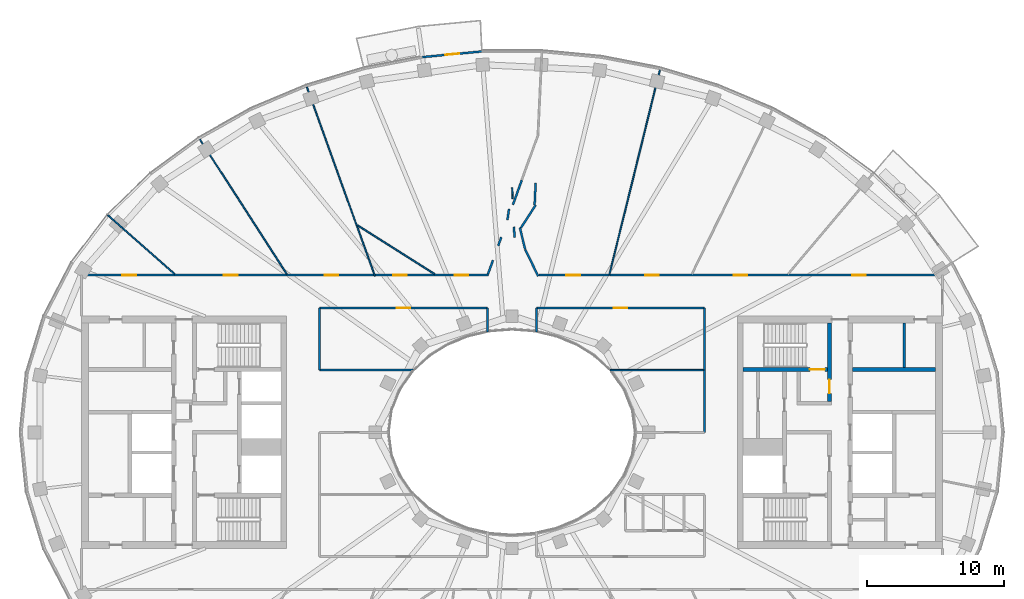
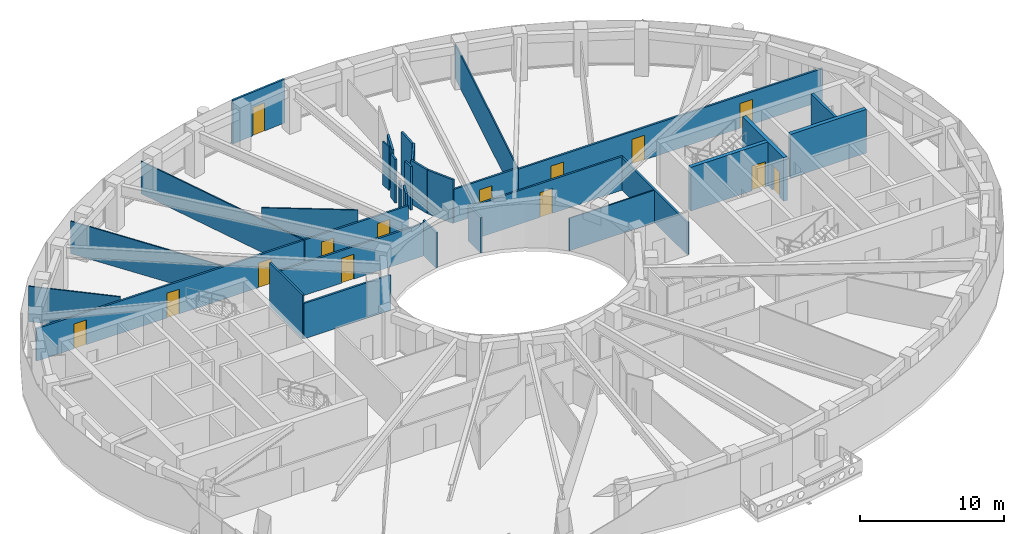
# One storey, part 6 of 16: 32 walls, 14 doors, 14 openings.
"""IFC4 building model written with IfcOpenShell, lengths in metres."""

from ifc_helpers import new_model, si_unit, direction, frame, frame_2d, origin, place, context, subcontext, project, spatial, rectangle, extrude, material, layer, layer_set, type_object, element, fill, save


model = new_model("IFC4")

# Units and contexts
model_context = context("Model", 3, precision=1e-05, world=origin(), true_north=direction((0.0, 1.0)))
body_context = subcontext(model_context, "Body", "Model", "MODEL_VIEW")
ifc_project = project(units=[si_unit("LENGTHUNIT", "METRE"), si_unit("AREAUNIT", "SQUARE_METRE"), si_unit("VOLUMEUNIT", "CUBIC_METRE"), si_unit("PLANEANGLEUNIT", "RADIAN"), si_unit("MASSUNIT", "GRAM", prefix="KILO")], contexts=[model_context])

# Site, building, storey
site_placement = place(None, origin())
site = spatial("IfcSite", under=ifc_project, at=site_placement, CompositionType="ELEMENT")
building_placement = place(site_placement, origin())
building = spatial("IfcBuilding", under=site, at=building_placement, Name="Noorbagh Ring Tower", CompositionType="ELEMENT")
storey_placement = place(building_placement, frame((0.0, 0.0, 311.0)))
storey = spatial("IfcBuildingStorey", under=building, at=storey_placement, Name="L67", CompositionType="ELEMENT", Elevation=311.0)

# Walls
ifc_material_1 = material(Name="Gypsum board on steel studs", Category="steel")
ifc_layer_1 = layer(ifc_material_1, 0.199951171875)
ifc_layer_set_1 = layer_set([ifc_layer_1], Name="Gypsum board on steel studs")
wall_type_1 = type_object("IfcWallType", Name="CORE-PARTITION-200", PredefinedType="PARTITIONING", material=ifc_layer_set_1)
wall_1_placement = place(storey_placement, frame((28.699951171875, 4.75, 0.0), z_axis=(0.0, 0.0, 1.0), x_axis=(0.0, 1.0, 0.0)))
element("IfcWall", 1, at=wall_1_placement, inside=storey, type_object=wall_type_1, Name="Core partition E", PredefinedType="PARTITIONING", context=body_context, shape_type="SweptSolid", body=[
    extrude(rectangle(XDim=3.25, YDim=0.199951171875, at=frame_2d((1.625, 0.0))), origin(), (0.0, 0.0, 1.0), 3.699951171875),
])
ifc_material_2 = material(Name="Concrete C50/60", Category="concrete")
ifc_layer_2 = layer(ifc_material_2, 0.300048828125)
ifc_layer_set_2 = layer_set([ifc_layer_2], Name="Concrete C50/60")
wall_type_2 = type_object("IfcWallType", Name="CORE-WALL-300-C50-60-EI240", PredefinedType="SHEAR", material=ifc_layer_set_2)
wall_2_placement = place(storey_placement, frame((24.89990234375, 4.60009765625, 0.0), z_axis=(0.0, 0.0, 1.0), x_axis=(1.0, 0.0, 0.0)))
element("IfcWall", 2, at=wall_2_placement, inside=storey, type_object=wall_type_2, Name="Core wall E", PredefinedType="SHEAR", context=body_context, shape_type="SweptSolid", body=[
    extrude(rectangle(XDim=6.10009765625, YDim=0.300048828125, at=frame_2d((3.050048828125, 0.0))), origin(), (0.0, 0.0, 1.0), 3.699951171875),
])

# Wall, opening, door
wall_3_placement = place(storey_placement, frame((23.22998046875, 2.25, 0.0), z_axis=(0.0, 0.0, 1.0), x_axis=(0.0, 1.0, 0.0)))
wall_3 = element("IfcWall", 3, at=wall_3_placement, inside=storey, type_object=wall_type_2, Name="Core wall E", PredefinedType="SHEAR", context=body_context, shape_type="SweptSolid", body=[
    extrude(rectangle(XDim=5.75, YDim=0.300048828125, at=frame_2d((2.875, 0.0))), origin(), (0.0, 0.0, 1.0), 3.699951171875),
])
opening_1_placement = place(wall_3_placement, frame((0.60009765625, 0.0, 0.0)))
opening_1 = element("IfcOpeningElement", 4, at=opening_1_placement, cuts=wall_3, Name="Opening L67-CE07", PredefinedType="OPENING", context=body_context, shape_type="SweptSolid", body=[
    extrude(rectangle(XDim=1.0, YDim=2.10009765625, at=frame_2d((0.5, 1.050048828125))), frame((0.0, 0.16015625, 0.0), z_axis=(0.0, -1.0, 0.0), x_axis=(1.0, 0.0, 0.0)), (0.0, 0.0, 1.0), 0.320068359375),
])
ifc_material_3 = material(Name="Steel door leaf", Category="steel")
door_type_1 = type_object("IfcDoorType", Name="CORE-DOOR-DVEST", OperationType="SINGLE_SWING_LEFT", PredefinedType="DOOR", material=ifc_material_3)
door_1_placement = place(opening_1_placement, origin())
door_1 = element("IfcDoor", 5, at=door_1_placement, inside=storey, type_object=door_type_1, Name="Stair vestibule door L67-CE07", OperationType="SINGLE_SWING_RIGHT", OverallHeight=2.10009765625, OverallWidth=1.0, PredefinedType="DOOR", context=body_context, shape_type="SweptSolid", body=[
    extrude(rectangle(XDim=1.0, YDim=2.10009765625, at=frame_2d((0.5, 1.050048828125))), frame((0.0, 0.02490234375, 0.0), z_axis=(0.0, -1.0, 0.0), x_axis=(1.0, 0.0, 0.0)), (0.0, 0.0, 1.0), 0.050048828125),
])
fill(opening_1, door_1)

wall_4_placement = place(storey_placement, frame((16.89990234375, 4.60009765625, 0.0), z_axis=(0.0, 0.0, 1.0), x_axis=(1.0, 0.0, 0.0)))
wall_4 = element("IfcWall", 6, at=wall_4_placement, inside=storey, type_object=wall_type_2, Name="Core wall E", PredefinedType="SHEAR", context=body_context, shape_type="SweptSolid", body=[
    extrude(rectangle(XDim=6.18017578125, YDim=0.300048828125, at=frame_2d((3.090087890625, 0.0))), origin(), (0.0, 0.0, 1.0), 3.699951171875),
])
opening_2_placement = place(wall_4_placement, frame((4.89990234375, 0.0, 0.0)))
opening_2 = element("IfcOpeningElement", 7, at=opening_2_placement, cuts=wall_4, Name="Opening L67-CE04", PredefinedType="OPENING", context=body_context, shape_type="SweptSolid", body=[
    extrude(rectangle(XDim=1.10009765625, YDim=2.10009765625, at=frame_2d((0.550048828125, 1.050048828125))), frame((0.0, 0.16015625, 0.0), z_axis=(0.0, -1.0, 0.0), x_axis=(1.0, 0.0, 0.0)), (0.0, 0.0, 1.0), 0.320068359375),
])
ifc_material_4 = material(Name="Steel door leaf", Category="steel")
door_type_2 = type_object("IfcDoorType", Name="CORE-DOOR-DSTAIR", OperationType="SINGLE_SWING_LEFT", PredefinedType="DOOR", material=ifc_material_4)
door_2_placement = place(opening_2_placement, origin())
door_2 = element("IfcDoor", 8, at=door_2_placement, inside=storey, type_object=door_type_2, Name="Stair door ST3 L67-CE04", OperationType="SINGLE_SWING_LEFT", OverallHeight=2.10009765625, OverallWidth=1.10009765625, PredefinedType="DOOR", context=body_context, shape_type="SweptSolid", body=[
    extrude(rectangle(XDim=1.10009765625, YDim=2.10009765625, at=frame_2d((0.550048828125, 1.050048828125))), frame((0.0, 0.02490234375, 0.0), z_axis=(0.0, -1.0, 0.0), x_axis=(1.0, 0.0, 0.0)), (0.0, 0.0, 1.0), 0.050048828125),
])
fill(opening_2, door_2)

# Wall, openings, doors
ifc_material_5 = material(Name="Gypsum board on steel studs", Category="steel")
ifc_layer_3 = layer(ifc_material_5, 0.14990234375)
ifc_layer_set_3 = layer_set([ifc_layer_3], Name="Gypsum board on steel studs")
wall_type_3 = type_object("IfcWallType", Name="CORRIDOR PARTITION 150 EI 30", PredefinedType="PARTITIONING", material=ifc_layer_set_3)
wall_5_placement = place(storey_placement, frame((-31.5, 11.5, 0.0), z_axis=(0.0, 0.0, 1.0), x_axis=(1.0, 0.0, 0.0)))
wall_5 = element("IfcWall", 9, at=wall_5_placement, inside=storey, type_object=wall_type_3, Name="L67/wall/P05", PredefinedType="PARTITIONING", context=body_context, shape_type="SweptSolid", body=[
    extrude(rectangle(XDim=21.431884765625, YDim=0.14990234375, at=frame_2d((10.7158203125, 0.0))), origin(), (0.0, 0.0, 1.0), 2.75),
])
opening_3_placement = place(wall_5_placement, frame((2.9990234375, 0.0, 0.0)))
opening_3 = element("IfcOpeningElement", 10, at=opening_3_placement, cuts=wall_5, Name="Opening D1", PredefinedType="OPENING", context=body_context, shape_type="SweptSolid", body=[
    extrude(rectangle(XDim=1.0, YDim=2.10009765625, at=frame_2d((0.5, 1.050048828125))), frame((0.0, 0.0849609375, 0.0), z_axis=(0.0, -1.0, 0.0), x_axis=(1.0, 0.0, 0.0)), (0.0, 0.0, 1.0), 0.169921875),
])
opening_4_placement = place(wall_5_placement, frame((10.426025390625, 0.0, 0.0)))
opening_4 = element("IfcOpeningElement", 11, at=opening_4_placement, cuts=wall_5, Name="Opening D1", PredefinedType="OPENING", context=body_context, shape_type="SweptSolid", body=[
    extrude(rectangle(XDim=1.0, YDim=2.10009765625, at=frame_2d((0.5, 1.050048828125))), frame((0.0, 0.0849609375, 0.0), z_axis=(0.0, -1.0, 0.0), x_axis=(1.0, 0.0, 0.0)), (0.0, 0.0, 1.0), 0.169921875),
])
opening_5_placement = place(wall_5_placement, frame((17.7939453125, 0.0, 0.0)))
opening_5 = element("IfcOpeningElement", 12, at=opening_5_placement, cuts=wall_5, Name="Opening D1", PredefinedType="OPENING", context=body_context, shape_type="SweptSolid", body=[
    extrude(rectangle(XDim=1.0, YDim=2.10009765625, at=frame_2d((0.5, 1.050048828125))), frame((0.0, 0.0849609375, 0.0), z_axis=(0.0, -1.0, 0.0), x_axis=(1.0, 0.0, 0.0)), (0.0, 0.0, 1.0), 0.169921875),
])
ifc_material_6 = material(Name="Timber, painted", Category="wood")
door_type_3 = type_object("IfcDoorType", Name="DOOR 1000 X 2100 FD30", OperationType="SINGLE_SWING_LEFT", PredefinedType="DOOR", material=ifc_material_6)
door_3_placement = place(opening_3_placement, origin())
door_3 = element("IfcDoor", 13, at=door_3_placement, inside=storey, type_object=door_type_3, Name="L67-D07", OperationType="SINGLE_SWING_LEFT", OverallHeight=2.10009765625, OverallWidth=1.0, PredefinedType="DOOR", context=body_context, shape_type="SweptSolid", body=[
    extrude(rectangle(XDim=1.0, YDim=2.10009765625, at=frame_2d((0.5, 1.050048828125))), frame((0.0, 0.02490234375, 0.0), z_axis=(0.0, -1.0, 0.0), x_axis=(1.0, 0.0, 0.0)), (0.0, 0.0, 1.0), 0.050048828125),
])
fill(opening_3, door_3)
door_4_placement = place(opening_4_placement, origin())
door_4 = element("IfcDoor", 14, at=door_4_placement, inside=storey, type_object=door_type_3, Name="L67-D08", OperationType="SINGLE_SWING_RIGHT", OverallHeight=2.10009765625, OverallWidth=1.0, PredefinedType="DOOR", context=body_context, shape_type="SweptSolid", body=[
    extrude(rectangle(XDim=1.0, YDim=2.10009765625, at=frame_2d((0.5, 1.050048828125))), frame((0.0, 0.02490234375, 0.0), z_axis=(0.0, -1.0, 0.0), x_axis=(1.0, 0.0, 0.0)), (0.0, 0.0, 1.0), 0.050048828125),
])
fill(opening_4, door_4)
door_5_placement = place(opening_5_placement, origin())
door_5 = element("IfcDoor", 15, at=door_5_placement, inside=storey, type_object=door_type_3, Name="L67-D10", OperationType="SINGLE_SWING_RIGHT", OverallHeight=2.10009765625, OverallWidth=1.0, PredefinedType="DOOR", context=body_context, shape_type="SweptSolid", body=[
    extrude(rectangle(XDim=1.0, YDim=2.10009765625, at=frame_2d((0.5, 1.050048828125))), frame((0.0, 0.02490234375, 0.0), z_axis=(0.0, -1.0, 0.0), x_axis=(1.0, 0.0, 0.0)), (0.0, 0.0, 1.0), 0.050048828125),
])
fill(opening_5, door_5)

# Walls
wall_6_placement = place(storey_placement, frame((-14.10009765625, 4.550048828125, 0.0), z_axis=(0.0, 0.0, 1.0), x_axis=(0.0, 1.0, 0.0)))
element("IfcWall", 16, at=wall_6_placement, inside=storey, type_object=wall_type_3, Name="L67/wall/P14", PredefinedType="PARTITIONING", context=body_context, shape_type="SweptSolid", body=[
    extrude(rectangle(XDim=4.550048828125, YDim=0.14990234375, at=frame_2d((2.27490234375, 0.0))), origin(), (0.0, 0.0, 1.0), 3.699951171875),
])
wall_7_placement = place(storey_placement, frame((-14.10009765625, 4.550048828125, 0.0), z_axis=(0.0, 0.0, 1.0), x_axis=(1.0, 0.0, 0.0)))
element("IfcWall", 17, at=wall_7_placement, inside=storey, type_object=wall_type_3, Name="L67/wall/P15", PredefinedType="PARTITIONING", context=body_context, shape_type="SweptSolid", body=[
    extrude(rectangle(XDim=6.966064453125, YDim=0.14990234375, at=frame_2d((3.48291015625, 0.0))), origin(), (0.0, 0.0, 1.0), 3.0),
])

# Wall, opening, door
wall_8_placement = place(storey_placement, frame((-14.10009765625, 9.10009765625, 0.0), z_axis=(0.0, 0.0, 1.0), x_axis=(1.0, 0.0, 0.0)))
wall_8 = element("IfcWall", 18, at=wall_8_placement, inside=storey, type_object=wall_type_3, Name="L67/wall/P16", PredefinedType="PARTITIONING", context=body_context, shape_type="SweptSolid", body=[
    extrude(rectangle(XDim=12.300048828125, YDim=0.14990234375, at=frame_2d((6.14990234375, 0.0))), origin(), (0.0, 0.0, 1.0), 2.75),
])
opening_6_placement = place(wall_8_placement, frame((5.64990234375, 0.0, 0.0)))
opening_6 = element("IfcOpeningElement", 19, at=opening_6_placement, cuts=wall_8, Name="Opening D1", PredefinedType="OPENING", context=body_context, shape_type="SweptSolid", body=[
    extrude(rectangle(XDim=1.0, YDim=2.10009765625, at=frame_2d((0.5, 1.050048828125))), frame((0.0, 0.0849609375, 0.0), z_axis=(0.0, -1.0, 0.0), x_axis=(1.0, 0.0, 0.0)), (0.0, 0.0, 1.0), 0.169921875),
])
door_6_placement = place(opening_6_placement, origin())
door_6 = element("IfcDoor", 20, at=door_6_placement, inside=storey, type_object=door_type_3, Name="L67-D28", OperationType="SINGLE_SWING_RIGHT", OverallHeight=2.10009765625, OverallWidth=1.0, PredefinedType="DOOR", context=body_context, shape_type="SweptSolid", body=[
    extrude(rectangle(XDim=1.0, YDim=2.10009765625, at=frame_2d((0.5, 1.050048828125))), frame((0.0, 0.02490234375, 0.0), z_axis=(0.0, -1.0, 0.0), x_axis=(1.0, 0.0, 0.0)), (0.0, 0.0, 1.0), 0.050048828125),
])
fill(opening_6, door_6)

# Wall, openings, doors
wall_9_placement = place(storey_placement, frame((-10.0029296875, 11.5, 0.0), z_axis=(0.0, 0.0, 1.0), x_axis=(1.0, 0.0, 0.0)))
wall_9 = element("IfcWall", 21, at=wall_9_placement, inside=storey, type_object=wall_type_3, Name="L67/wall/P22", PredefinedType="PARTITIONING", context=body_context, shape_type="SweptSolid", body=[
    extrude(rectangle(XDim=8.2978515625, YDim=0.14990234375, at=frame_2d((4.14892578125, 0.0))), origin(), (0.0, 0.0, 1.0), 2.75),
])
opening_7_placement = place(wall_9_placement, frame((5.818115234375, 0.0, 0.0)))
opening_7 = element("IfcOpeningElement", 22, at=opening_7_placement, cuts=wall_9, Name="Opening D1", PredefinedType="OPENING", context=body_context, shape_type="SweptSolid", body=[
    extrude(rectangle(XDim=1.0, YDim=2.10009765625, at=frame_2d((0.5, 1.050048828125))), frame((0.0, 0.0849609375, 0.0), z_axis=(0.0, -1.0, 0.0), x_axis=(1.0, 0.0, 0.0)), (0.0, 0.0, 1.0), 0.169921875),
])
opening_8_placement = place(wall_9_placement, frame((1.31494140625, 0.0, 0.0)))
opening_8 = element("IfcOpeningElement", 23, at=opening_8_placement, cuts=wall_9, Name="Opening D1", PredefinedType="OPENING", context=body_context, shape_type="SweptSolid", body=[
    extrude(rectangle(XDim=1.0, YDim=2.10009765625, at=frame_2d((0.5, 1.050048828125))), frame((0.0, 0.0849609375, 0.0), z_axis=(0.0, -1.0, 0.0), x_axis=(1.0, 0.0, 0.0)), (0.0, 0.0, 1.0), 0.169921875),
])
door_7_placement = place(opening_7_placement, origin())
door_7 = element("IfcDoor", 24, at=door_7_placement, inside=storey, type_object=door_type_3, Name="L67-D11", OperationType="SINGLE_SWING_LEFT", OverallHeight=2.10009765625, OverallWidth=1.0, PredefinedType="DOOR", context=body_context, shape_type="SweptSolid", body=[
    extrude(rectangle(XDim=1.0, YDim=2.10009765625, at=frame_2d((0.5, 1.050048828125))), frame((0.0, 0.02490234375, 0.0), z_axis=(0.0, -1.0, 0.0), x_axis=(1.0, 0.0, 0.0)), (0.0, 0.0, 1.0), 0.050048828125),
])
fill(opening_7, door_7)
door_8_placement = place(opening_8_placement, origin())
door_8 = element("IfcDoor", 25, at=door_8_placement, inside=storey, type_object=door_type_3, Name="L67-D13", OperationType="SINGLE_SWING_RIGHT", OverallHeight=2.10009765625, OverallWidth=1.0, PredefinedType="DOOR", context=body_context, shape_type="SweptSolid", body=[
    extrude(rectangle(XDim=1.0, YDim=2.10009765625, at=frame_2d((0.5, 1.050048828125))), frame((0.0, 0.02490234375, 0.0), z_axis=(0.0, -1.0, 0.0), x_axis=(1.0, 0.0, 0.0)), (0.0, 0.0, 1.0), 0.050048828125),
])
fill(opening_8, door_8)

# Walls
wall_10_placement = place(storey_placement, frame((-1.800048828125, 7.3359375, 0.0), z_axis=(0.0, 0.0, 1.0), x_axis=(0.0, 1.0, 0.0)))
element("IfcWall", 26, at=wall_10_placement, inside=storey, type_object=wall_type_3, Name="L67/wall/P26", PredefinedType="PARTITIONING", context=body_context, shape_type="SweptSolid", body=[
    extrude(rectangle(XDim=1.76416015625, YDim=0.14990234375, at=frame_2d((0.882080078125, 0.0))), origin(), (0.0, 0.0, 1.0), 3.0),
])
wall_11_placement = place(storey_placement, frame((-1.757080078125, 11.5791015625, 0.0), z_axis=(0.0, 0.0, 1.0), x_axis=(0.339062715819, 0.940763772018, 0.0)))
element("IfcWall", 27, at=wall_11_placement, inside=storey, type_object=wall_type_3, Name="L67/wall/P28", PredefinedType="PARTITIONING", context=body_context, shape_type="SweptSolid", body=[
    extrude(rectangle(XDim=1.0830078125, YDim=0.14990234375, at=frame_2d((0.54150390625, 0.0))), origin(), (0.0, 0.0, 1.0), 3.699951171875),
])
wall_12_placement = place(storey_placement, frame((-1.011962890625, 13.64990234375, 0.0), z_axis=(0.0, 0.0, 1.0), x_axis=(0.33796337932, 0.941159260826, 0.0)))
element("IfcWall", 28, at=wall_12_placement, inside=storey, type_object=wall_type_3, Name="L67/wall/P30", PredefinedType="PARTITIONING", context=body_context, shape_type="SweptSolid", body=[
    extrude(rectangle(XDim=0.6748046875, YDim=0.14990234375, at=frame_2d((0.33740234375, 0.0))), origin(), (0.0, 0.0, 1.0), 2.85009765625),
])
wall_13_placement = place(storey_placement, frame((-0.33203125, 15.548095703125, 0.0), z_axis=(0.0, 0.0, 1.0), x_axis=(0.14248004426, 0.989797674774, 0.0)))
element("IfcWall", 29, at=wall_13_placement, inside=storey, type_object=wall_type_3, Name="L67/wall/P31", PredefinedType="PARTITIONING", context=body_context, shape_type="SweptSolid", body=[
    extrude(rectangle(XDim=0.80712890625, YDim=0.14990234375, at=frame_2d((0.403564453125, 0.0))), origin(), (0.0, 0.0, 1.0), 3.699951171875),
])
wall_14_placement = place(storey_placement, frame((0.069091796875, 16.658935546875, 0.0), z_axis=(0.0, 0.0, 1.0), x_axis=(0.339417840218, 0.940635705117, 0.0)))
element("IfcWall", 30, at=wall_14_placement, inside=storey, type_object=wall_type_3, Name="L67/wall/P34", PredefinedType="PARTITIONING", context=body_context, shape_type="SweptSolid", body=[
    extrude(rectangle(XDim=1.906005859375, YDim=0.14990234375, at=frame_2d((0.953125, 0.0))), origin(), (0.0, 0.0, 1.0), 3.699951171875),
])
wall_15_placement = place(storey_placement, frame((0.14599609375, 15.0419921875, 0.0), z_axis=(0.0, 0.0, 1.0), x_axis=(0.048768193835, -0.998810123732, 0.0)))
element("IfcWall", 31, at=wall_15_placement, inside=storey, type_object=wall_type_3, Name="L67/wall/P35", PredefinedType="PARTITIONING", context=body_context, shape_type="SweptSolid", body=[
    extrude(rectangle(XDim=0.781005859375, YDim=0.14990234375, at=frame_2d((0.390625, 0.0))), origin(), (0.0, 0.0, 1.0), 3.699951171875),
])
wall_16_placement = place(storey_placement, frame((0.572998046875, 14.97412109375, 0.0), z_axis=(0.0, 0.0, 1.0), x_axis=(0.239690117004, -0.970849446521, 0.0)))
element("IfcWall", 32, at=wall_16_placement, inside=storey, type_object=wall_type_3, Name="L67/wall/P38", PredefinedType="PARTITIONING", context=body_context, shape_type="SweptSolid", body=[
    extrude(rectangle(XDim=1.6357421875, YDim=0.14990234375, at=frame_2d((0.81787109375, 0.0))), origin(), (0.0, 0.0, 1.0), 3.699951171875),
])
wall_17_placement = place(storey_placement, frame((0.654052734375, 14.9609375, 0.0), z_axis=(0.0, 0.0, 1.0), x_axis=(0.542163330295, 0.840273124218, 0.0)))
element("IfcWall", 33, at=wall_17_placement, inside=storey, type_object=wall_type_3, Name="L67/wall/P39", PredefinedType="PARTITIONING", context=body_context, shape_type="SweptSolid", body=[
    extrude(rectangle(XDim=1.982666015625, YDim=0.14990234375, at=frame_2d((0.9912109375, 0.0))), origin(), (0.0, 0.0, 1.0), 3.699951171875),
])
wall_18_placement = place(storey_placement, frame((0.97705078125, 13.35302734375, 0.0), z_axis=(0.0, 0.0, 1.0), x_axis=(0.439324382849, -0.898328495949, 0.0)))
element("IfcWall", 34, at=wall_18_placement, inside=storey, type_object=wall_type_3, Name="L67/wall/P42", PredefinedType="PARTITIONING", context=body_context, shape_type="SweptSolid", body=[
    extrude(rectangle(XDim=2.146240234375, YDim=0.14990234375, at=frame_2d((1.0732421875, 0.0))), origin(), (0.0, 0.0, 1.0), 3.699951171875),
])
wall_19_placement = place(storey_placement, frame((1.655029296875, 16.64990234375, 0.0), z_axis=(0.0, 0.0, 1.0), x_axis=(0.047055382931, 0.998892281949, 0.0)))
element("IfcWall", 35, at=wall_19_placement, inside=storey, type_object=wall_type_3, Name="L67/wall/P43", PredefinedType="PARTITIONING", context=body_context, shape_type="SweptSolid", body=[
    extrude(rectangle(XDim=1.5927734375, YDim=0.14990234375, at=frame_2d((0.79638671875, 0.0))), origin(), (0.0, 0.0, 1.0), 3.699951171875),
])
wall_20_placement = place(storey_placement, frame((1.800048828125, 7.3359375, 0.0), z_axis=(0.0, 0.0, 1.0), x_axis=(0.0, 1.0, 0.0)))
element("IfcWall", 36, at=wall_20_placement, inside=storey, type_object=wall_type_3, Name="L67/wall/P47", PredefinedType="PARTITIONING", context=body_context, shape_type="SweptSolid", body=[
    extrude(rectangle(XDim=1.76416015625, YDim=0.14990234375, at=frame_2d((0.882080078125, 0.0))), origin(), (0.0, 0.0, 1.0), 3.0),
])

# Wall, opening, door
wall_21_placement = place(storey_placement, frame((1.800048828125, 9.10009765625, 0.0), z_axis=(0.0, 0.0, 1.0), x_axis=(1.0, 0.0, 0.0)))
wall_21 = element("IfcWall", 37, at=wall_21_placement, inside=storey, type_object=wall_type_3, Name="L67/wall/P48", PredefinedType="PARTITIONING", context=body_context, shape_type="SweptSolid", body=[
    extrude(rectangle(XDim=12.300048828125, YDim=0.14990234375, at=frame_2d((6.14990234375, 0.0))), origin(), (0.0, 0.0, 1.0), 2.85009765625),
])
opening_9_placement = place(wall_21_placement, frame((5.64990234375, 0.0, 0.0)))
opening_9 = element("IfcOpeningElement", 38, at=opening_9_placement, cuts=wall_21, Name="Opening D1", PredefinedType="OPENING", context=body_context, shape_type="SweptSolid", body=[
    extrude(rectangle(XDim=1.0, YDim=2.10009765625, at=frame_2d((0.5, 1.050048828125))), frame((0.0, 0.0849609375, 0.0), z_axis=(0.0, -1.0, 0.0), x_axis=(1.0, 0.0, 0.0)), (0.0, 0.0, 1.0), 0.169921875),
])
door_9_placement = place(opening_9_placement, origin())
door_9 = element("IfcDoor", 39, at=door_9_placement, inside=storey, type_object=door_type_3, Name="L67-D29", OperationType="SINGLE_SWING_LEFT", OverallHeight=2.10009765625, OverallWidth=1.0, PredefinedType="DOOR", context=body_context, shape_type="SweptSolid", body=[
    extrude(rectangle(XDim=1.0, YDim=2.10009765625, at=frame_2d((0.5, 1.050048828125))), frame((0.0, 0.02490234375, 0.0), z_axis=(0.0, -1.0, 0.0), x_axis=(1.0, 0.0, 0.0)), (0.0, 0.0, 1.0), 0.050048828125),
])
fill(opening_9, door_9)

wall_22_placement = place(storey_placement, frame((1.966064453125, 11.5, 0.0), z_axis=(0.0, 0.0, 1.0), x_axis=(1.0, 0.0, 0.0)))
wall_22 = element("IfcWall", 40, at=wall_22_placement, inside=storey, type_object=wall_type_3, Name="L67/wall/P49", PredefinedType="PARTITIONING", context=body_context, shape_type="SweptSolid", body=[
    extrude(rectangle(XDim=5.14599609375, YDim=0.14990234375, at=frame_2d((2.572998046875, 0.0))), origin(), (0.0, 0.0, 1.0), 2.85009765625),
])
opening_10_placement = place(wall_22_placement, frame((2.012939453125, 0.0, 0.0)))
opening_10 = element("IfcOpeningElement", 41, at=opening_10_placement, cuts=wall_22, Name="Opening D1", PredefinedType="OPENING", context=body_context, shape_type="SweptSolid", body=[
    extrude(rectangle(XDim=1.0, YDim=2.10009765625, at=frame_2d((0.5, 1.050048828125))), frame((0.0, 0.0849609375, 0.0), z_axis=(0.0, -1.0, 0.0), x_axis=(1.0, 0.0, 0.0)), (0.0, 0.0, 1.0), 0.169921875),
])
door_10_placement = place(opening_10_placement, origin())
door_10 = element("IfcDoor", 42, at=door_10_placement, inside=storey, type_object=door_type_3, Name="L67-D16", OperationType="SINGLE_SWING_RIGHT", OverallHeight=2.10009765625, OverallWidth=1.0, PredefinedType="DOOR", context=body_context, shape_type="SweptSolid", body=[
    extrude(rectangle(XDim=1.0, YDim=2.10009765625, at=frame_2d((0.5, 1.050048828125))), frame((0.0, 0.02490234375, 0.0), z_axis=(0.0, -1.0, 0.0), x_axis=(1.0, 0.0, 0.0)), (0.0, 0.0, 1.0), 0.050048828125),
])
fill(opening_10, door_10)

# Wall, openings, doors
wall_23_placement = place(storey_placement, frame((7.12890625, 11.5, 0.0), z_axis=(0.0, 0.0, 1.0), x_axis=(1.0, 0.0, 0.0)))
wall_23 = element("IfcWall", 43, at=wall_23_placement, inside=storey, type_object=wall_type_3, Name="L67/wall/P54", PredefinedType="PARTITIONING", context=body_context, shape_type="SweptSolid", body=[
    extrude(rectangle(XDim=24.37109375, YDim=0.14990234375, at=frame_2d((12.185546875, 0.0))), origin(), (0.0, 0.0, 1.0), 2.75),
])
opening_11_placement = place(wall_23_placement, frame((2.60888671875, 0.0, 0.0)))
opening_11 = element("IfcOpeningElement", 44, at=opening_11_placement, cuts=wall_23, Name="Opening D1", PredefinedType="OPENING", context=body_context, shape_type="SweptSolid", body=[
    extrude(rectangle(XDim=1.0, YDim=2.10009765625, at=frame_2d((0.5, 1.050048828125))), frame((0.0, 0.0849609375, 0.0), z_axis=(0.0, -1.0, 0.0), x_axis=(1.0, 0.0, 0.0)), (0.0, 0.0, 1.0), 0.169921875),
])
opening_12_placement = place(wall_23_placement, frame((9.10009765625, 0.0, 0.0)))
opening_12 = element("IfcOpeningElement", 45, at=opening_12_placement, cuts=wall_23, Name="Opening D1", PredefinedType="OPENING", context=body_context, shape_type="SweptSolid", body=[
    extrude(rectangle(XDim=1.0, YDim=2.10009765625, at=frame_2d((0.5, 1.050048828125))), frame((0.0, 0.0849609375, 0.0), z_axis=(0.0, -1.0, 0.0), x_axis=(1.0, 0.0, 0.0)), (0.0, 0.0, 1.0), 0.169921875),
])
opening_13_placement = place(wall_23_placement, frame((17.7548828125, 0.0, 0.0)))
opening_13 = element("IfcOpeningElement", 46, at=opening_13_placement, cuts=wall_23, Name="Opening D1", PredefinedType="OPENING", context=body_context, shape_type="SweptSolid", body=[
    extrude(rectangle(XDim=1.0, YDim=2.10009765625, at=frame_2d((0.5, 1.050048828125))), frame((0.0, 0.0849609375, 0.0), z_axis=(0.0, -1.0, 0.0), x_axis=(1.0, 0.0, 0.0)), (0.0, 0.0, 1.0), 0.169921875),
])
door_11_placement = place(opening_11_placement, origin())
door_11 = element("IfcDoor", 47, at=door_11_placement, inside=storey, type_object=door_type_3, Name="L67-D19", OperationType="SINGLE_SWING_LEFT", OverallHeight=2.10009765625, OverallWidth=1.0, PredefinedType="DOOR", context=body_context, shape_type="SweptSolid", body=[
    extrude(rectangle(XDim=1.0, YDim=2.10009765625, at=frame_2d((0.5, 1.050048828125))), frame((0.0, 0.02490234375, 0.0), z_axis=(0.0, -1.0, 0.0), x_axis=(1.0, 0.0, 0.0)), (0.0, 0.0, 1.0), 0.050048828125),
])
fill(opening_11, door_11)
door_12_placement = place(opening_12_placement, origin())
door_12 = element("IfcDoor", 48, at=door_12_placement, inside=storey, type_object=door_type_3, Name="L67-D21", OperationType="SINGLE_SWING_LEFT", OverallHeight=2.10009765625, OverallWidth=1.0, PredefinedType="DOOR", context=body_context, shape_type="SweptSolid", body=[
    extrude(rectangle(XDim=1.0, YDim=2.10009765625, at=frame_2d((0.5, 1.050048828125))), frame((0.0, 0.02490234375, 0.0), z_axis=(0.0, -1.0, 0.0), x_axis=(1.0, 0.0, 0.0)), (0.0, 0.0, 1.0), 0.050048828125),
])
fill(opening_12, door_12)
door_13_placement = place(opening_13_placement, origin())
door_13 = element("IfcDoor", 49, at=door_13_placement, inside=storey, type_object=door_type_3, Name="L67-D23", OperationType="SINGLE_SWING_LEFT", OverallHeight=2.10009765625, OverallWidth=1.0, PredefinedType="DOOR", context=body_context, shape_type="SweptSolid", body=[
    extrude(rectangle(XDim=1.0, YDim=2.10009765625, at=frame_2d((0.5, 1.050048828125))), frame((0.0, 0.02490234375, 0.0), z_axis=(0.0, -1.0, 0.0), x_axis=(1.0, 0.0, 0.0)), (0.0, 0.0, 1.0), 0.050048828125),
])
fill(opening_13, door_13)

# Wall
wall_24_placement = place(storey_placement, frame((14.10009765625, 0.0, 0.0), z_axis=(0.0, 0.0, 1.0), x_axis=(0.0, 1.0, 0.0)))
element("IfcWall", 50, at=wall_24_placement, inside=storey, type_object=wall_type_3, Name="L67/wall/P67", PredefinedType="PARTITIONING", context=body_context, shape_type="SweptSolid", body=[
    extrude(rectangle(XDim=9.10009765625, YDim=0.14990234375, at=frame_2d((4.550048828125, 0.0))), origin(), (0.0, 0.0, 1.0), 2.75),
])

# Wall, opening, door
ifc_material_7 = material(Name="Insulated aluminium clad panel", Category="aluminium")
ifc_layer_4 = layer(ifc_material_7, 0.14990234375)
ifc_layer_set_4 = layer_set([ifc_layer_4], Name="Insulated aluminium clad panel")
wall_type_4 = type_object("IfcWallType", Name="ENV-WALL-DOOR", PredefinedType="STANDARD", material=ifc_layer_set_4)
wall_25_placement = place(storey_placement, frame((-2.166259765625, 27.875244140625, 0.0), z_axis=(0.0, 0.0, 1.0), x_axis=(-0.995473879823, -0.095035543824, 0.0)))
wall_25 = element("IfcWall", 51, at=wall_25_placement, inside=storey, type_object=wall_type_4, Name="Balcony door wall chord 13", PredefinedType="STANDARD", context=body_context, shape_type="SweptSolid", body=[
    extrude(rectangle(XDim=4.42626953125, YDim=0.14990234375, at=frame_2d((2.213134765625, 0.0))), origin(), (0.0, 0.0, 1.0), 3.699951171875),
])
opening_14_placement = place(wall_25_placement, frame((1.713134765625, 0.0, 0.0)))
opening_14 = element("IfcOpeningElement", 52, at=opening_14_placement, cuts=wall_25, Name="Opening D-BL", PredefinedType="OPENING", context=body_context, shape_type="SweptSolid", body=[
    extrude(rectangle(XDim=1.0, YDim=2.39990234375, at=frame_2d((0.5, 1.199951171875))), frame((0.0, 0.0849609375, 0.0), z_axis=(0.0, -1.0, 0.0), x_axis=(1.0, 0.0, 0.0)), (0.0, 0.0, 1.0), 0.169921875),
])
ifc_material_8 = material(Name="Aluminium and glass", Category="aluminium")
door_type_4 = type_object("IfcDoorType", Name="ENV-DOOR-BALCONY", OperationType="SINGLE_SWING_LEFT", PredefinedType="DOOR", material=ifc_material_8)
door_14_placement = place(opening_14_placement, origin())
door_14 = element("IfcDoor", 53, at=door_14_placement, inside=storey, type_object=door_type_4, Name="Balcony door chord 13", OperationType="SINGLE_SWING_RIGHT", OverallHeight=2.39990234375, OverallWidth=1.0, PredefinedType="DOOR", context=body_context, shape_type="SweptSolid", body=[
    extrude(rectangle(XDim=1.0, YDim=2.39990234375, at=frame_2d((0.5, 1.199951171875))), frame((0.0, 0.02490234375, 0.0), z_axis=(0.0, -1.0, 0.0), x_axis=(1.0, 0.0, 0.0)), (0.0, 0.0, 1.0), 0.050048828125),
])
fill(opening_14, door_14)

# Walls
ifc_material_9 = material(Name="Gypsum board on steel studs", Category="steel")
ifc_layer_5 = layer(ifc_material_9, 0.10009765625)
ifc_layer_set_5 = layer_set([ifc_layer_5], Name="Gypsum board on steel studs")
wall_type_5 = type_object("IfcWallType", Name="PARTITION 100 GYPSUM", PredefinedType="PARTITIONING", material=ifc_layer_set_5)
wall_26_placement = place(storey_placement, frame((-29.569091796875, 15.89501953125, 0.0), z_axis=(0.0, 0.0, 1.0), x_axis=(0.748988695283, -0.662582775461, 0.0)))
element("IfcWall", 54, at=wall_26_placement, inside=storey, type_object=wall_type_5, Name="L67/wall/P06", PredefinedType="PARTITIONING", context=body_context, shape_type="SweptSolid", body=[
    extrude(rectangle(XDim=6.515625, YDim=0.10009765625, at=frame_2d((3.2578125, 0.0))), origin(), (0.0, 0.0, 1.0), 3.0),
])
wall_27_placement = place(storey_placement, frame((-22.905029296875, 21.5419921875, 0.0), z_axis=(0.0, 0.0, 1.0), x_axis=(0.54229092728, -0.840190782019, 0.0)))
element("IfcWall", 55, at=wall_27_placement, inside=storey, type_object=wall_type_5, Name="L67/wall/P08", PredefinedType="PARTITIONING", context=body_context, shape_type="SweptSolid", body=[
    extrude(rectangle(XDim=11.86279296875, YDim=0.10009765625, at=frame_2d((5.931396484375, 0.0))), origin(), (0.0, 0.0, 1.0), 2.75),
])
wall_28_placement = place(storey_placement, frame((-15.048095703125, 25.383056640625, 0.0), z_axis=(0.0, 0.0, 1.0), x_axis=(0.338396469125, -0.941003628943, 0.0)))
element("IfcWall", 56, at=wall_28_placement, inside=storey, type_object=wall_type_5, Name="L67/wall/P09", PredefinedType="PARTITIONING", context=body_context, shape_type="SweptSolid", body=[
    extrude(rectangle(XDim=14.828857421875, YDim=0.10009765625, at=frame_2d((7.41455078125, 0.0))), origin(), (0.0, 0.0, 1.0), 2.75),
])
wall_29_placement = place(storey_placement, frame((-11.319091796875, 15.160888671875, 0.0), z_axis=(0.0, 0.0, 1.0), x_axis=(0.844865171483, -0.534979291203, 0.0)))
element("IfcWall", 57, at=wall_29_placement, inside=storey, type_object=wall_type_5, Name="L67/wall/P20", PredefinedType="PARTITIONING", context=body_context, shape_type="SweptSolid", body=[
    extrude(rectangle(XDim=6.702880859375, YDim=0.10009765625, at=frame_2d((3.3515625, 0.0))), origin(), (0.0, 0.0, 1.0), 3.699951171875),
])
wall_30_placement = place(storey_placement, frame((0.010986328125, 17.89892578125, 0.0), z_axis=(0.0, 0.0, 1.0), x_axis=(0.046862039633, -0.998901371128, 0.0)))
element("IfcWall", 58, at=wall_30_placement, inside=storey, type_object=wall_type_5, Name="L67/wall/P32", PredefinedType="PARTITIONING", context=body_context, shape_type="SweptSolid", body=[
    extrude(rectangle(XDim=0.7919921875, YDim=0.10009765625, at=frame_2d((0.39599609375, 0.0))), origin(), (0.0, 0.0, 1.0), 3.699951171875),
])
wall_31_placement = place(storey_placement, frame((7.112060546875, 11.5, 0.0), z_axis=(0.0, 0.0, 1.0), x_axis=(0.239787813873, 0.970825321218, 0.0)))
element("IfcWall", 59, at=wall_31_placement, inside=storey, type_object=wall_type_5, Name="L67/wall/P52", PredefinedType="PARTITIONING", context=body_context, shape_type="SweptSolid", body=[
    extrude(rectangle(XDim=15.60107421875, YDim=0.10009765625, at=frame_2d((7.800537109375, 0.0))), origin(), (0.0, 0.0, 1.0), 2.85009765625),
])
wall_32_placement = place(storey_placement, frame((7.174072265625, 4.550048828125, 0.0), z_axis=(0.0, 0.0, 1.0), x_axis=(1.0, 0.0, 0.0)))
element("IfcWall", 60, at=wall_32_placement, inside=storey, type_object=wall_type_5, Name="L67/wall/P55", PredefinedType="PARTITIONING", context=body_context, shape_type="SweptSolid", body=[
    extrude(rectangle(XDim=6.850830078125, YDim=0.10009765625, at=frame_2d((3.42529296875, 0.0))), origin(), (0.0, 0.0, 1.0), 2.75),
])

save(model, "model.ifc")
